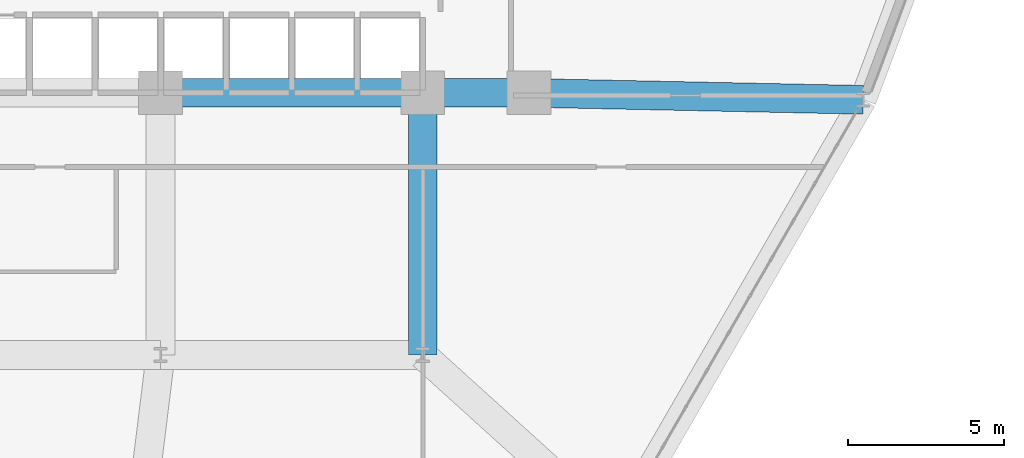
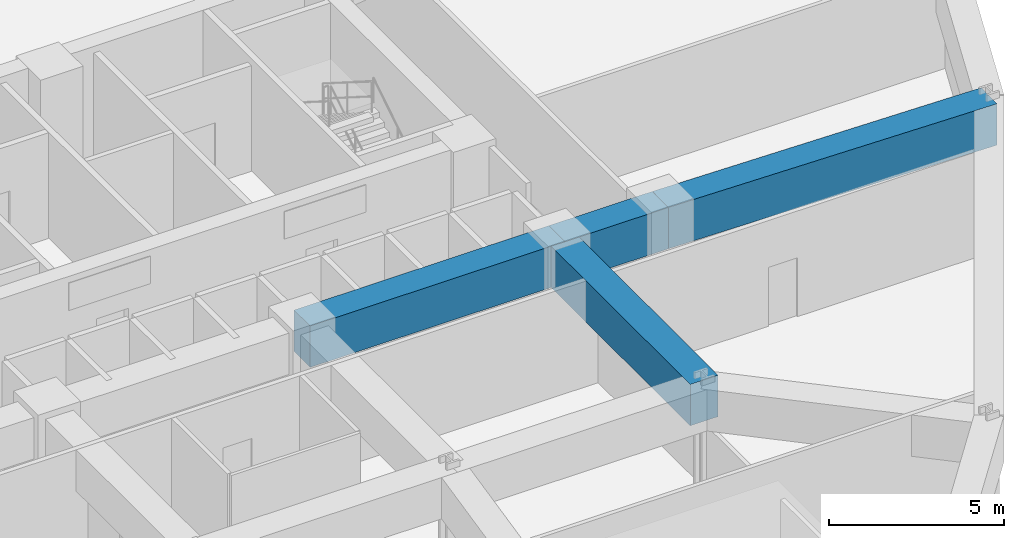
# One storey, part 8 of 20: 4 beams.
"""IFC4 building model written with IfcOpenShell, lengths in metres."""

import ifcopenshell
import ifcopenshell.guid

model = None  # the IFC model being written
_history = None  # IfcOwnerHistory: only IFC2X3 demands one
_inside = {}  # id of a spatial element -> (the spatial element, [elements in it])
_under = {}  # id of a project, library or spatial element -> (it, [spatial elements below it])
_declared = {}  # id of a project -> (the project, [libraries it declares])
_typed = {}  # id of a type object -> (the type object, [elements of that type])
_made_of = {}  # id of a material, layer set ... -> (it, [elements and type objects made of it])


def new_model(schema):
    """Start an empty IFC model of exactly this schema.

    Asked for "IFC4X3", IfcOpenShell would pick the latest addendum, in which some entities
    have other attributes; the version numbers below select the first issue.
    IFC2X3 requires an IfcOwnerHistory on every rooted entity: one is made here for all.
    """
    global model, _history
    if schema == "IFC4X3":
        model = ifcopenshell.file(schema_version=(4, 3, 0, 0))
    else:
        model = ifcopenshell.file(schema=schema)
    _inside.clear()
    _under.clear()
    _declared.clear()
    _typed.clear()
    _made_of.clear()
    _history = None
    if model.schema == "IFC2X3":
        org = make("IfcOrganization", Name="unknown")
        user = make(
            "IfcPersonAndOrganization",
            ThePerson=make("IfcPerson", FamilyName="unknown"),
            TheOrganization=org,
        )
        app = make(
            "IfcApplication",
            ApplicationDeveloper=org,
            Version="unknown",
            ApplicationFullName="unknown",
            ApplicationIdentifier="unknown",
        )
        _history = make(
            "IfcOwnerHistory",
            OwningUser=user,
            OwningApplication=app,
            ChangeAction="ADDED",
            CreationDate=0,
        )
    return model


def make(cls, **values):
    """One entity of the class cls with the attributes given. An attribute that is None is left unset."""
    return model.create_entity(
        cls, **{name: value for name, value in values.items() if value is not None}
    )


def rooted(cls, **values):
    """An entity with a GlobalId (a new one), such as an element, a storey or a relation."""
    return make(cls, GlobalId=ifcopenshell.guid.new(), OwnerHistory=_history, **values)


def si_unit(unit_type, name, prefix=None):
    """IfcSIUnit, for example si_unit("LENGTHUNIT", "METRE", prefix="MILLI")."""
    return make("IfcSIUnit", UnitType=unit_type, Prefix=prefix, Name=name)


def derived_unit(unit_type, elements):
    """IfcDerivedUnit: a product of units, each with its exponent."""
    return make(
        "IfcDerivedUnit",
        Elements=[
            make("IfcDerivedUnitElement", Unit=unit, Exponent=power)
            for unit, power in elements
        ],
        UnitType=unit_type,
    )


def assignment(units):
    """IfcUnitAssignment: the units of a project."""
    return None if units is None else make("IfcUnitAssignment", Units=units)


def point(xyz):
    """IfcCartesianPoint."""
    return None if xyz is None else make("IfcCartesianPoint", Coordinates=xyz)


def direction(xyz):
    """IfcDirection."""
    return None if xyz is None else make("IfcDirection", DirectionRatios=xyz)


def frame(location, z_axis=None, x_axis=None):
    """IfcAxis2Placement3D, a coordinate frame: its origin and axes. An axis left out is left unset."""
    return make(
        "IfcAxis2Placement3D",
        Location=point(location),
        Axis=direction(z_axis),
        RefDirection=direction(x_axis),
    )


def frame_2d(location, x_axis=None):
    """IfcAxis2Placement2D, a coordinate frame in the plane: its origin and x axis."""
    return make(
        "IfcAxis2Placement2D", Location=point(location), RefDirection=direction(x_axis)
    )


def origin():
    """The frame at (0, 0, 0) with its axes left unset."""
    return frame((0.0, 0.0, 0.0))


def origin_2d():
    """The frame at (0, 0) in the plane with its x axis left unset."""
    return frame_2d((0.0, 0.0))


def place(relative_to, where):
    """IfcLocalPlacement: puts the frame where relative to a parent placement (None: the world)."""
    return make(
        "IfcLocalPlacement", PlacementRelTo=relative_to, RelativePlacement=where
    )


def context(
    kind, dimensions, precision=None, world=None, true_north=None, identifier=None
):
    """IfcGeometricRepresentationContext, for example the 3D "Model" context."""
    return make(
        "IfcGeometricRepresentationContext",
        ContextIdentifier=identifier,
        ContextType=kind,
        CoordinateSpaceDimension=dimensions,
        Precision=precision,
        WorldCoordinateSystem=world,
        TrueNorth=true_north,
    )


def subcontext(parent, identifier, kind, view, scale=None):
    """IfcGeometricRepresentationSubContext, for example "Body" below "Model"."""
    return make(
        "IfcGeometricRepresentationSubContext",
        ContextIdentifier=identifier,
        ContextType=kind,
        ParentContext=parent,
        TargetScale=scale,
        TargetView=view,
    )


def project(units=None, contexts=None):
    """IfcProject with its units and contexts."""
    return rooted(
        "IfcProject",
        Name="project",
        RepresentationContexts=contexts,
        UnitsInContext=assignment(units),
    )


def spatial(cls, under=None, at=None, **own):
    """A site, building, storey or space (cls), placed at a placement, below another one or the project."""
    s = rooted(cls, ObjectPlacement=at, **own)
    if under is not None:
        _under.setdefault(under.id(), (under, []))[1].append(s)
    return s


def profile(cls, at=None, kind="AREA", **sizes):
    """A parametric profile (cls). Its sizes go by their IFC names, for example OverallWidth=200.0."""
    return make(cls, ProfileType=kind, Position=at, **sizes)


def rectangle(**sizes):
    """IfcRectangleProfileDef."""
    return profile("IfcRectangleProfileDef", **sizes)


def extrude(swept, where, along, depth):
    """IfcExtrudedAreaSolid: the profile swept, set in the frame where, extruded along a direction by depth."""
    return make(
        "IfcExtrudedAreaSolid",
        SweptArea=swept,
        Position=where,
        ExtrudedDirection=direction(along),
        Depth=depth,
    )


def shape(context_of_items, identifier, shape_type, items):
    """IfcShapeRepresentation: the items that make up one representation, for example the "Body"."""
    return make(
        "IfcShapeRepresentation",
        ContextOfItems=context_of_items,
        RepresentationIdentifier=identifier,
        RepresentationType=shape_type,
        Items=items,
    )


def source(mapping_origin, context_of_items, identifier, shape_type, items):
    """IfcRepresentationMap: a shape defined once, which mapped items show again and again."""
    return make(
        "IfcRepresentationMap",
        MappingOrigin=mapping_origin,
        MappedRepresentation=shape(context_of_items, identifier, shape_type, items),
    )


def transform(
    local_origin,
    x_axis=None,
    y_axis=None,
    z_axis=None,
    scale=None,
    scale2=None,
    scale3=None,
    uniform=True,
):
    """IfcCartesianTransformationOperator3D, or its non-uniform kind. x_axis, y_axis, z_axis: its Axis1, 2, 3."""
    if uniform:
        return make(
            "IfcCartesianTransformationOperator3D",
            Axis1=direction(x_axis),
            Axis2=direction(y_axis),
            LocalOrigin=point(local_origin),
            Scale=scale,
            Axis3=direction(z_axis),
        )
    return make(
        "IfcCartesianTransformationOperator3DnonUniform",
        Axis1=direction(x_axis),
        Axis2=direction(y_axis),
        LocalOrigin=point(local_origin),
        Scale=scale,
        Axis3=direction(z_axis),
        Scale2=scale2,
        Scale3=scale3,
    )


def mapped(mapping_source, mapping_target):
    """IfcMappedItem: shows the shape of a source again, moved by a transform."""
    return make(
        "IfcMappedItem", MappingSource=mapping_source, MappingTarget=mapping_target
    )


def material(Name=None, Category=None):
    """IfcMaterial."""
    return make("IfcMaterial", Name=Name, Category=Category)


def material_profile(
    of_material, cross_section, Name=None, Category=None, Priority=None
):
    """IfcMaterialProfile: a cross section and its material."""
    return make(
        "IfcMaterialProfile",
        Name=Name,
        Material=of_material,
        Profile=cross_section,
        Priority=Priority,
        Category=Category,
    )


def profile_set(profiles, Name=None, composite=None):
    """IfcMaterialProfileSet."""
    return make(
        "IfcMaterialProfileSet",
        Name=Name,
        MaterialProfiles=profiles,
        CompositeProfile=composite,
    )


def made_of(thing, what):
    """Note that an element or type object is made of a material, layer set ...; save() writes the relation."""
    if what is not None:
        _made_of.setdefault(what.id(), (what, []))[1].append(thing)
    return thing


def type_object(cls, material=None, **own):
    """A type object (cls), such as IfcWallType, which elements share."""
    return made_of(rooted(cls, **own), material)


def element(
    cls,
    number,
    at=None,
    inside=None,
    cuts=None,
    type_object=None,
    material=None,
    context=None,
    identifier="Body",
    shape_type=None,
    held_by="IfcProductDefinitionShape",
    body=None,
    shapes=None,
    **own,
):
    """One element of the class cls, such as IfcWall. Its Tag is "e" and its number.

    at: its placement. inside: the storey or other place that contains it. cuts: it is an
    opening in that element (IfcRelVoidsElement). A single representation is given by context,
    identifier, shape_type and body (its items); several are given by shapes. held_by: the class
    of the entity that holds the representations. save() writes the other relations.
    """
    e = rooted(cls, Tag="e%d" % number, ObjectPlacement=at, **own)
    if body is not None:
        shapes = [shape(context, identifier, shape_type, body)]
    if shapes is not None:
        e.Representation = make(held_by, Representations=shapes)
    if inside is not None:
        _inside.setdefault(inside.id(), (inside, []))[1].append(e)
    if cuts is not None:
        rooted(
            "IfcRelVoidsElement", RelatingBuildingElement=cuts, RelatedOpeningElement=e
        )
    if type_object is not None:
        _typed.setdefault(type_object.id(), (type_object, []))[1].append(e)
    return made_of(e, material)


def aggregate(whole, parts):
    """IfcRelAggregates: a whole, such as a stair, and the parts it consists of."""
    return rooted("IfcRelAggregates", RelatingObject=whole, RelatedObjects=parts)


def save(model, path):
    """Write the relations noted so far, then the file.

    IfcRelAggregates (storeys below a building ...), IfcRelContainedInSpatialStructure (elements
    in a storey), IfcRelDefinesByType, IfcRelAssociatesMaterial and IfcRelDeclares: one each for
    every whole, place, type object, material and project.
    """
    for whole, parts in _under.values():
        aggregate(whole, parts)
    for where, things in _inside.values():
        rooted(
            "IfcRelContainedInSpatialStructure",
            RelatedElements=things,
            RelatingStructure=where,
        )
    for kind, things in _typed.values():
        rooted("IfcRelDefinesByType", RelatedObjects=things, RelatingType=kind)
    for what, things in _made_of.values():
        rooted("IfcRelAssociatesMaterial", RelatedObjects=things, RelatingMaterial=what)
    for by, libraries in _declared.values():
        rooted("IfcRelDeclares", RelatingContext=by, RelatedDefinitions=libraries)
    model.write(path)


model = new_model("IFC4")

# Units and contexts
model_context = context("Model", 3, precision=1e-05, world=origin(), true_north=direction((0.0, 1.0)))
body_context = subcontext(model_context, "Body", "Model", "MODEL_VIEW")
ifc_project = project(units=[si_unit("LENGTHUNIT", "METRE"), si_unit("AREAUNIT", "SQUARE_METRE"), si_unit("VOLUMEUNIT", "CUBIC_METRE"), si_unit("PLANEANGLEUNIT", "RADIAN"), si_unit("MASSUNIT", "GRAM", prefix="KILO"), derived_unit("THERMALTRANSMITTANCEUNIT", [(si_unit("POWERUNIT", "WATT"), 1), (si_unit("LENGTHUNIT", "METRE"), -2), (si_unit("THERMODYNAMICTEMPERATUREUNIT", "KELVIN"), -1)])], contexts=[model_context])

# Site, building, storey
site_placement = place(None, origin())
site = spatial("IfcSite", under=ifc_project, at=site_placement, CompositionType="ELEMENT")
building_placement = place(site_placement, origin())
building = spatial("IfcBuilding", under=site, at=building_placement, Name="Korsvarv Bourse and Concert Hall", CompositionType="ELEMENT")
storey_placement = place(building_placement, frame((0.0, 0.0, 35.699951171875)))
storey = spatial("IfcBuildingStorey", under=building, at=storey_placement, Name="L08", CompositionType="ELEMENT", Elevation=35.699951171875)

# Beams
ifc_material = material(Name="Concrete C50/60", Category="concrete")
ifc_material_profile = material_profile(ifc_material, rectangle(XDim=0.919921875, YDim=1.43994140625, at=origin_2d()), Name="RC-BM 920x1440")
ifc_profile_set = profile_set([ifc_material_profile], Name="Concrete C50/60")
beam_type = type_object("IfcBeamType", Name="BM-TR-144", PredefinedType="BEAM", material=ifc_profile_set)
shared_shape_1 = source(origin(), body_context, "Body", "SweptSolid", [
    extrude(rectangle(XDim=0.919921875, YDim=1.43994140625, at=origin_2d()), origin(), (0.0, 0.0, 1.0), 3.400146484375),
])
beam_1_placement = place(storey_placement, frame((44.39990234375, 32.39990234375, 2.9599609375), z_axis=(1.0, 0.0, 0.0), x_axis=(0.0, 1.0, 0.0)))
element("IfcBeam", 1, at=beam_1_placement, inside=storey, type_object=beam_type, Name="L08 beam B-TR4", PredefinedType="BEAM", context=body_context, shape_type="MappedRepresentation", body=[
    mapped(shared_shape_1, transform((0.0, 0.0, 0.0), scale=1.0)),
])
shared_shape_2 = source(origin(), body_context, "Body", "SweptSolid", [
    extrude(rectangle(XDim=0.919921875, YDim=1.43994140625, at=origin_2d()), origin(), (0.0, 0.0, 1.0), 8.39990234375),
])
for number, where, z_axis, x_axis, name in (
    (2, (36.0, 32.39990234375, 2.9599609375), (1.0, 0.0, 0.0), (0.0, 1.0, 0.0), "L08 beam B-TR4"),
    (3, (44.39990234375, 24.0, 2.9599609375), (0.0, 1.0, 0.0), (-1.0, 0.0, 0.0), "L08 beam B-TR4"),
):
    element("IfcBeam", number, at=place(storey_placement, frame(where, z_axis=z_axis, x_axis=x_axis)), inside=storey, type_object=beam_type, Name=name, PredefinedType="BEAM", context=body_context, shape_type="MappedRepresentation", body=[
        mapped(shared_shape_2, transform((0.0, 0.0, 0.0), scale=1.0)),
    ])
shared_shape_3 = source(origin(), body_context, "Body", "SweptSolid", [
    extrude(rectangle(XDim=0.919921875, YDim=1.43994140625, at=origin_2d()), origin(), (0.0, 0.0, 1.0), 10.707275390625),
])
beam_2_placement = place(storey_placement, frame((58.5048828125, 32.176513671875, 2.9599609375), z_axis=(-0.999782333994, 0.020863476078, 0.0), x_axis=(-0.020863476078, -0.999782333994, 0.0)))
element("IfcBeam", 4, at=beam_2_placement, inside=storey, type_object=beam_type, Name="L08 beam B-TR4", PredefinedType="BEAM", context=body_context, shape_type="MappedRepresentation", body=[
    mapped(shared_shape_3, transform((0.0, 0.0, 0.0), scale=1.0)),
])

save(model, "model.ifc")
